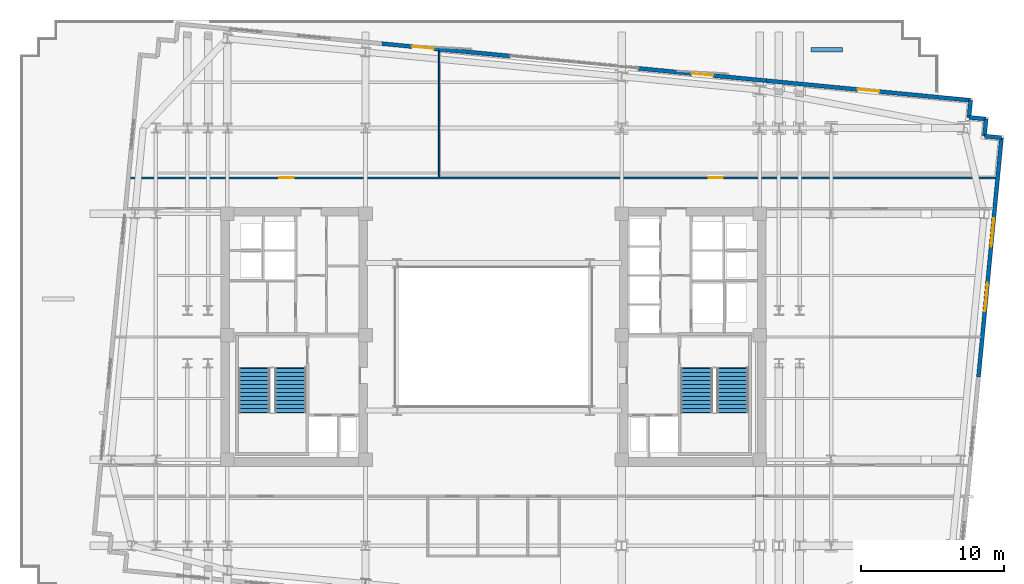
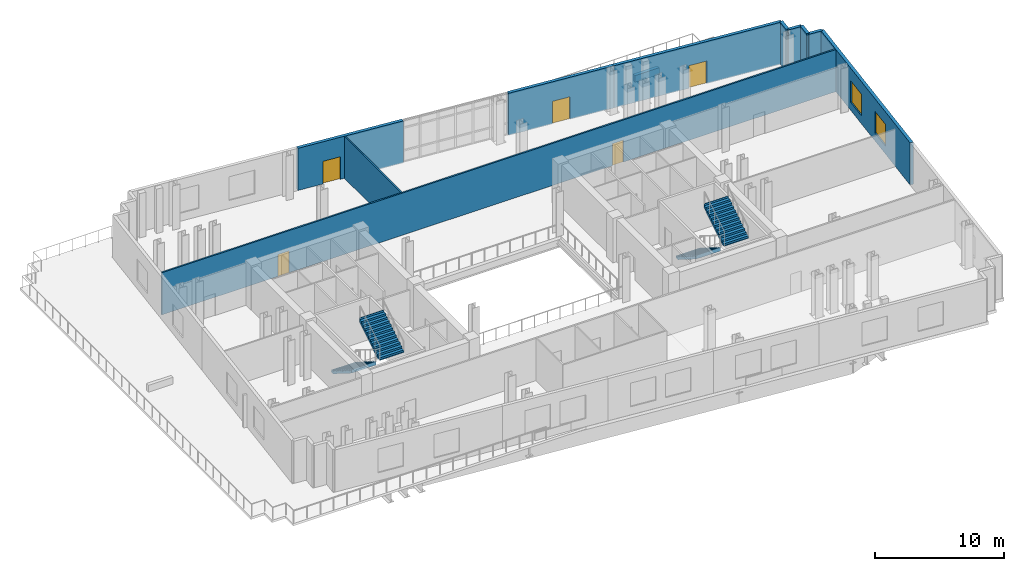
# One storey, part 8 of 11: 11 walls, 5 doors, 4 stair flights, 2 windows, 7 openings, 2 elements without a shape of their own.
"""IFC4 building model written with IfcOpenShell, lengths in metres."""

from ifc_helpers import new_model, si_unit, direction, frame, frame_2d, origin, place, context, subcontext, project, spatial, polyline, rectangle, outline, extrude, material, layer, layer_set, type_object, element, fill, aggregate, save


model = new_model("IFC4")

# Units and contexts
model_context = context("Model", 3, precision=1e-05, world=origin(), true_north=direction((0.0, 1.0)))
body_context = subcontext(model_context, "Body", "Model", "MODEL_VIEW")
ifc_project = project(units=[si_unit("LENGTHUNIT", "METRE"), si_unit("AREAUNIT", "SQUARE_METRE"), si_unit("VOLUMEUNIT", "CUBIC_METRE"), si_unit("PLANEANGLEUNIT", "RADIAN"), si_unit("MASSUNIT", "GRAM", prefix="KILO")], contexts=[model_context])

# Site, building, storey
site_placement = place(None, origin())
site = spatial("IfcSite", under=ifc_project, at=site_placement, CompositionType="ELEMENT")
building_placement = place(site_placement, origin())
building = spatial("IfcBuilding", under=site, at=building_placement, Name="Velakula Bourse", CompositionType="ELEMENT")
storey_placement = place(building_placement, frame((0.0, 0.0, 156.199951171875)))
storey = spatial("IfcBuildingStorey", under=building, at=storey_placement, Name="L42", CompositionType="ELEMENT", Elevation=156.199951171875)

# Wall, opening, door
ifc_material_1 = material(Name="Red kilned clay facing brick masonry", Category="masonry")
ifc_layer_1 = layer(ifc_material_1, 0.280029296875, Name="Red kilned clay facing brick masonry", Category="masonry")
ifc_layer_set_1 = layer_set([ifc_layer_1], Name="Red kilned clay facing brick masonry")
wall_type_1 = type_object("IfcWallType", Name="WL-EXT-BRK-280", PredefinedType="STANDARD", material=ifc_layer_set_1)
wall_1_placement = place(storey_placement, frame((-7.798583984375, 20.49560546875, 0.0), z_axis=(0.0, 0.0, 1.0), x_axis=(0.995396794462, -0.09583956164, 0.0)))
wall_1 = element("IfcWall", 1, at=wall_1_placement, inside=storey, type_object=wall_type_1, Name="L42 N Brick Spandrel Wall B2", PredefinedType="STANDARD", context=body_context, shape_type="SweptSolid", body=[
    extrude(rectangle(XDim=9.0, YDim=0.280029296875, at=frame_2d((4.5, 0.0))), origin(), (0.0, 0.0, 1.0), 4.0),
])
opening_1_placement = place(wall_1_placement, frame((2.1298828125, 0.0, 0.0)))
opening_1 = element("IfcOpeningElement", 2, at=opening_1_placement, cuts=wall_1, Name="Opening D-TR1", PredefinedType="OPENING", context=body_context, shape_type="SweptSolid", body=[
    extrude(rectangle(XDim=1.5, YDim=2.14990234375, at=frame_2d((0.75, 1.074951171875))), frame((0.0, 0.14990234375, 0.0), z_axis=(0.0, -1.0, 0.0), x_axis=(1.0, 0.0, 0.0)), (0.0, 0.0, 1.0), 0.300048828125),
])
ifc_material_2 = material(Name="Anodised bronze architectural aluminium", Category="aluminium")
door_type_1 = type_object("IfcDoorType", Name="DR-EXT-TERR-1500", OperationType="DOUBLE_DOOR_SINGLE_SWING", PredefinedType="DOOR", material=ifc_material_2)
door_1_placement = place(opening_1_placement, origin())
door_1 = element("IfcDoor", 3, at=door_1_placement, inside=storey, type_object=door_type_1, Name="L42 Sky-Garden Terrace Access Door 1", OperationType="DOUBLE_DOOR_SINGLE_SWING", OverallHeight=2.14990234375, OverallWidth=1.5, PredefinedType="DOOR", context=body_context, shape_type="SweptSolid", body=[
    extrude(rectangle(XDim=1.5, YDim=2.14990234375, at=frame_2d((0.75, 1.074951171875))), frame((0.0, 0.02490234375, 0.0), z_axis=(0.0, -1.0, 0.0), x_axis=(1.0, 0.0, 0.0)), (0.0, 0.0, 1.0), 0.050048828125),
])
fill(opening_1, door_1)

wall_2_placement = place(storey_placement, frame((10.11865234375, 18.770263671875, 0.0), z_axis=(0.0, 0.0, 1.0), x_axis=(0.995396794462, -0.09583956164, 0.0)))
wall_2 = element("IfcWall", 4, at=wall_2_placement, inside=storey, type_object=wall_type_1, Name="L42 N Brick Spandrel Wall B4", PredefinedType="STANDARD", context=body_context, shape_type="SweptSolid", body=[
    extrude(rectangle(XDim=9.0, YDim=0.280029296875, at=frame_2d((4.5, 0.0))), origin(), (0.0, 0.0, 1.0), 4.0),
])
opening_2_placement = place(wall_2_placement, frame((3.75, 0.0, 0.0)))
opening_2 = element("IfcOpeningElement", 5, at=opening_2_placement, cuts=wall_2, Name="Opening D-TR1", PredefinedType="OPENING", context=body_context, shape_type="SweptSolid", body=[
    extrude(rectangle(XDim=1.5, YDim=2.14990234375, at=frame_2d((0.75, 1.074951171875))), frame((0.0, 0.14990234375, 0.0), z_axis=(0.0, -1.0, 0.0), x_axis=(1.0, 0.0, 0.0)), (0.0, 0.0, 1.0), 0.300048828125),
])
door_2_placement = place(opening_2_placement, origin())
door_2 = element("IfcDoor", 6, at=door_2_placement, inside=storey, type_object=door_type_1, Name="L42 Sky-Garden Terrace Access Door 2", OperationType="DOUBLE_DOOR_SINGLE_SWING", OverallHeight=2.14990234375, OverallWidth=1.5, PredefinedType="DOOR", context=body_context, shape_type="SweptSolid", body=[
    extrude(rectangle(XDim=1.5, YDim=2.14990234375, at=frame_2d((0.75, 1.074951171875))), frame((0.0, 0.02490234375, 0.0), z_axis=(0.0, -1.0, 0.0), x_axis=(1.0, 0.0, 0.0)), (0.0, 0.0, 1.0), 0.050048828125),
])
fill(opening_2, door_2)

wall_3_placement = place(storey_placement, frame((19.0771484375, 17.90771484375, 0.0), z_axis=(0.0, 0.0, 1.0), x_axis=(0.995395606285, -0.095851901334, 0.0)))
wall_3 = element("IfcWall", 7, at=wall_3_placement, inside=storey, type_object=wall_type_1, Name="L42 N Brick Spandrel Wall B5", PredefinedType="STANDARD", context=body_context, shape_type="SweptSolid", body=[
    extrude(rectangle(XDim=14.33984375, YDim=0.280029296875, at=frame_2d((7.169921875, 0.0))), origin(), (0.0, 0.0, 1.0), 4.0),
])
opening_3_placement = place(wall_3_placement, frame((6.419921875, 0.0, 0.0)))
opening_3 = element("IfcOpeningElement", 8, at=opening_3_placement, cuts=wall_3, Name="Opening D-TR1", PredefinedType="OPENING", context=body_context, shape_type="SweptSolid", body=[
    extrude(rectangle(XDim=1.5, YDim=2.14990234375, at=frame_2d((0.75, 1.074951171875))), frame((0.0, 0.14990234375, 0.0), z_axis=(0.0, -1.0, 0.0), x_axis=(1.0, 0.0, 0.0)), (0.0, 0.0, 1.0), 0.300048828125),
])
door_3_placement = place(opening_3_placement, origin())
door_3 = element("IfcDoor", 9, at=door_3_placement, inside=storey, type_object=door_type_1, Name="L42 Sky-Garden Terrace Access Door 3", OperationType="DOUBLE_DOOR_SINGLE_SWING", OverallHeight=2.14990234375, OverallWidth=1.5, PredefinedType="DOOR", context=body_context, shape_type="SweptSolid", body=[
    extrude(rectangle(XDim=1.5, YDim=2.14990234375, at=frame_2d((0.75, 1.074951171875))), frame((0.0, 0.02490234375, 0.0), z_axis=(0.0, -1.0, 0.0), x_axis=(1.0, 0.0, 0.0)), (0.0, 0.0, 1.0), 0.050048828125),
])
fill(opening_3, door_3)

# Wall, openings, windows
wall_4_placement = place(storey_placement, frame((35.510009765625, 13.914306640625, 0.0), z_axis=(0.0, 0.0, 1.0), x_axis=(-0.095839027265, -0.995396845913, 0.0)))
wall_4 = element("IfcWall", 10, at=wall_4_placement, inside=storey, type_object=wall_type_1, Name="L42 E Brick End Wall W2", PredefinedType="STANDARD", context=body_context, shape_type="SweptSolid", body=[
    extrude(rectangle(XDim=16.7900390625, YDim=0.280029296875, at=frame_2d((8.39501953125, 0.0))), origin(), (0.0, 0.0, 1.0), 4.0),
])
opening_4_placement = place(wall_4_placement, frame((5.646728515625, 0.0, 0.760009765625)))
opening_4 = element("IfcOpeningElement", 11, at=opening_4_placement, cuts=wall_4, Name="Opening W-05", PredefinedType="OPENING", context=body_context, shape_type="SweptSolid", body=[
    extrude(rectangle(XDim=2.0, YDim=2.050048828125, at=frame_2d((1.0, 1.02490234375))), frame((0.0, 0.14990234375, 0.0), z_axis=(0.0, -1.0, 0.0), x_axis=(1.0, 0.0, 0.0)), (0.0, 0.0, 1.0), 0.300048828125),
])
opening_5_placement = place(wall_4_placement, frame((10.193359375, 0.0, 0.760009765625)))
opening_5 = element("IfcOpeningElement", 12, at=opening_5_placement, cuts=wall_4, Name="Opening W-05", PredefinedType="OPENING", context=body_context, shape_type="SweptSolid", body=[
    extrude(rectangle(XDim=2.0, YDim=2.050048828125, at=frame_2d((1.0, 1.02490234375))), frame((0.0, 0.14990234375, 0.0), z_axis=(0.0, -1.0, 0.0), x_axis=(1.0, 0.0, 0.0)), (0.0, 0.0, 1.0), 0.300048828125),
])
ifc_material_3 = material(Name="Double-glazed solar-control Low-E glass", Category="glass")
window_type = type_object("IfcWindowType", Name="WIN-TWR-2000x2200", PartitioningType="DOUBLE_PANEL_VERTICAL", PredefinedType="WINDOW", material=ifc_material_3)
window_1_placement = place(opening_4_placement, origin())
window_1 = element("IfcWindow", 13, at=window_1_placement, inside=storey, type_object=window_type, Name="L42 Deep-Set Recessed Window 1", OverallHeight=2.050048828125, OverallWidth=2.0, PartitioningType="DOUBLE_PANEL_VERTICAL", PredefinedType="WINDOW", context=body_context, shape_type="SweptSolid", body=[
    extrude(rectangle(XDim=2.0, YDim=2.050048828125, at=frame_2d((1.0, 1.02490234375))), frame((0.0, 0.030029296875, 0.0), z_axis=(0.0, -1.0, 0.0), x_axis=(1.0, 0.0, 0.0)), (0.0, 0.0, 1.0), 0.06005859375),
])
fill(opening_4, window_1)
window_2_placement = place(opening_5_placement, origin())
window_2 = element("IfcWindow", 14, at=window_2_placement, inside=storey, type_object=window_type, Name="L42 Deep-Set Recessed Window 2", OverallHeight=2.050048828125, OverallWidth=2.0, PartitioningType="DOUBLE_PANEL_VERTICAL", PredefinedType="WINDOW", context=body_context, shape_type="SweptSolid", body=[
    extrude(rectangle(XDim=2.0, YDim=2.050048828125, at=frame_2d((1.0, 1.02490234375))), frame((0.0, 0.030029296875, 0.0), z_axis=(0.0, -1.0, 0.0), x_axis=(1.0, 0.0, 0.0)), (0.0, 0.0, 1.0), 0.06005859375),
])
fill(opening_5, window_2)

# Walls
wall_5_placement = place(storey_placement, frame((35.510009765625, 13.914306640625, 0.0), z_axis=(0.0, 0.0, 1.0), x_axis=(-0.995397091755, 0.095836473879, 0.0)))
element("IfcWall", 15, at=wall_5_placement, inside=storey, type_object=wall_type_1, Name="L42 Serrated Corner Brick Wall NE-1", PredefinedType="STANDARD", context=body_context, shape_type="SweptSolid", body=[
    extrude(rectangle(XDim=1.199951171875, YDim=0.280029296875, at=frame_2d((0.60009765625, 0.0))), origin(), (0.0, 0.0, 1.0), 4.0),
])
for number, where, z_axis, x_axis, name in (
    (16, (34.315673828125, 14.029296875, 0.0), (0.0, 0.0, 1.0), (0.095817067274, 0.995398960025, 0.0), "L42 Serrated Corner Brick Wall NE-2"),
    (17, (34.4306640625, 15.223876953125, 0.0), (0.0, 0.0, 1.0), (-0.995398960025, 0.095817067274, 0.0), "L42 Serrated Corner Brick Wall NE-3"),
):
    element("IfcWall", number, at=place(storey_placement, frame(where, z_axis=z_axis, x_axis=x_axis)), inside=storey, type_object=wall_type_1, Name=name, PredefinedType="STANDARD", context=body_context, shape_type="SweptSolid", body=[
        extrude(rectangle(XDim=1.2001953125, YDim=0.280029296875, at=frame_2d((0.60009765625, 0.0))), origin(), (0.0, 0.0, 1.0), 4.0),
    ])
wall_6_placement = place(storey_placement, frame((33.236083984375, 15.3388671875, 0.0), z_axis=(0.0, 0.0, 1.0), x_axis=(0.095836473879, 0.995397091755, 0.0)))
element("IfcWall", 18, at=wall_6_placement, inside=storey, type_object=wall_type_1, Name="L42 Serrated Corner Brick Wall NE-4", PredefinedType="STANDARD", context=body_context, shape_type="SweptSolid", body=[
    extrude(rectangle(XDim=1.199951171875, YDim=0.280029296875, at=frame_2d((0.60009765625, 0.0))), origin(), (0.0, 0.0, 1.0), 4.0),
])
ifc_layer_2 = layer(ifc_material_1, 0.300048828125, Name="Red kilned clay facing brick masonry", Category="masonry")
ifc_layer_set_2 = layer_set([ifc_layer_2], Name="Red kilned clay facing brick masonry")
wall_type_2 = type_object("IfcWallType", Name="WL-PAR-PLN-300", PredefinedType="PARAPET", material=ifc_layer_set_2)
wall_7_placement = place(storey_placement, frame((22.188720703125, 20.074951171875, 0.0), z_axis=(0.0, 0.0, 1.0), x_axis=(1.0, 0.0, 0.0)))
element("IfcWall", 19, at=wall_7_placement, inside=storey, type_object=wall_type_2, Name="L42 Sky-Garden Brick Planter 2", PredefinedType="PARAPET", context=body_context, shape_type="SweptSolid", body=[
    extrude(rectangle(XDim=2.199951171875, YDim=0.300048828125, at=frame_2d((1.10009765625, 0.0))), origin(), (0.0, 0.0, 1.0), 0.650146484375),
])
ifc_material_4 = material(Name="Fire-rated double-layer gypsum drywall partition", Category="gypsum")
ifc_layer_3 = layer(ifc_material_4, 0.1201171875, Name="Fire-rated double-layer gypsum drywall partition", Category="gypsum")
ifc_layer_set_3 = layer_set([ifc_layer_3], Name="Fire-rated double-layer gypsum drywall partition")
wall_type_3 = type_object("IfcWallType", Name="WL-PART-120", PredefinedType="STANDARD", material=ifc_layer_set_3)
wall_8_placement = place(storey_placement, frame((-3.802001953125, 11.18994140625, 0.0), z_axis=(0.0, 0.0, 1.0), x_axis=(0.0, 1.0, 0.0)))
element("IfcWall", 20, at=wall_8_placement, inside=storey, type_object=wall_type_3, Name="L42 Interior Partition WL-INT-L42-N-D1", PredefinedType="STANDARD", context=body_context, shape_type="SweptSolid", body=[
    extrude(rectangle(XDim=8.80029296875, YDim=0.1201171875, at=frame_2d((4.400146484375, 0.0))), origin(), (0.0, 0.0, 1.0), 4.0),
])

# Wall, openings, doors
ifc_layer_4 = layer(ifc_material_4, 0.139892578125, Name="Fire-rated double-layer gypsum drywall partition", Category="gypsum")
ifc_layer_set_4 = layer_set([ifc_layer_4], Name="Fire-rated double-layer gypsum drywall partition")
wall_type_4 = type_object("IfcWallType", Name="WL-PART-140", PredefinedType="STANDARD", material=ifc_layer_set_4)
wall_9_placement = place(storey_placement, frame((-25.398193359375, 11.1201171875, 0.0), z_axis=(0.0, 0.0, 1.0), x_axis=(1.0, 0.0, 0.0)))
wall_9 = element("IfcWall", 21, at=wall_9_placement, inside=storey, type_object=wall_type_4, Name="L42 Interior Partition WL-INT-L42-N-CORR", PredefinedType="STANDARD", context=body_context, shape_type="SweptSolid", body=[
    extrude(rectangle(XDim=60.5185546875, YDim=0.139892578125, at=frame_2d((30.25927734375, 0.0))), origin(), (0.0, 0.0, 1.0), 4.0),
])
opening_6_placement = place(wall_9_placement, frame((10.424072265625, 0.0, 0.0)))
opening_6 = element("IfcOpeningElement", 22, at=opening_6_placement, cuts=wall_9, Name="Opening D-OF1", PredefinedType="OPENING", context=body_context, shape_type="SweptSolid", body=[
    extrude(rectangle(XDim=1.0, YDim=2.080078125, at=frame_2d((0.5, 1.0400390625))), frame((0.0, 0.079833984375, 0.0), z_axis=(0.0, -1.0, 0.0), x_axis=(1.0, 0.0, 0.0)), (0.0, 0.0, 1.0), 0.159912109375),
])
opening_7_placement = place(wall_9_placement, frame((40.431396484375, 0.0, 0.0)))
opening_7 = element("IfcOpeningElement", 23, at=opening_7_placement, cuts=wall_9, Name="Opening D-OF1", PredefinedType="OPENING", context=body_context, shape_type="SweptSolid", body=[
    extrude(rectangle(XDim=1.0, YDim=2.080078125, at=frame_2d((0.5, 1.0400390625))), frame((0.0, 0.079833984375, 0.0), z_axis=(0.0, -1.0, 0.0), x_axis=(1.0, 0.0, 0.0)), (0.0, 0.0, 1.0), 0.159912109375),
])
ifc_material_5 = material(Name="Fire-rated hardwood flush architectural door", Category="wood")
door_type_2 = type_object("IfcDoorType", Name="DR-OFF-1000", OperationType="NOTDEFINED", PredefinedType="DOOR", material=ifc_material_5)
door_4_placement = place(opening_6_placement, origin())
door_4 = element("IfcDoor", 24, at=door_4_placement, inside=storey, type_object=door_type_2, Name="L42 Delegation Concourse Foyer Door", OperationType="SINGLE_SWING_LEFT", OverallHeight=2.080078125, OverallWidth=1.0, PredefinedType="DOOR", context=body_context, shape_type="SweptSolid", body=[
    extrude(rectangle(XDim=1.0, YDim=2.080078125, at=frame_2d((0.5, 1.0400390625))), frame((0.0, 0.02490234375, 0.0), z_axis=(0.0, -1.0, 0.0), x_axis=(1.0, 0.0, 0.0)), (0.0, 0.0, 1.0), 0.050048828125),
])
fill(opening_6, door_4)
door_5_placement = place(opening_7_placement, origin())
door_5 = element("IfcDoor", 25, at=door_5_placement, inside=storey, type_object=door_type_2, Name="L42 Executive Boardroom Door", OperationType="SINGLE_SWING_RIGHT", OverallHeight=2.080078125, OverallWidth=1.0, PredefinedType="DOOR", context=body_context, shape_type="SweptSolid", body=[
    extrude(rectangle(XDim=1.0, YDim=2.080078125, at=frame_2d((0.5, 1.0400390625))), frame((0.0, 0.02490234375, 0.0), z_axis=(0.0, -1.0, 0.0), x_axis=(1.0, 0.0, 0.0)), (0.0, 0.0, 1.0), 0.050048828125),
])
fill(opening_7, door_5)

# Stair, stair flights
ifc_material_6 = material(Name="Concrete M45 (fck 45 MPa)", Category="concrete")
stair_type = type_object("IfcStairType", Name="STR-DOG-435", PredefinedType="HALF_TURN_STAIR", material=ifc_material_6)
stair_1_placement = place(storey_placement, origin())
stair_1 = element("IfcStair", 26, at=stair_1_placement, inside=storey, type_object=stair_type, Name="L42 West Core Exit Stair ST-W1", PredefinedType="HALF_TURN_STAIR")
ifc_layer_5 = layer(ifc_material_6, 0.199951171875, Name="Concrete M45 (fck 45 MPa)", Category="concrete")
ifc_layer_set_5 = layer_set([ifc_layer_5], Name="Concrete M45 (fck 45 MPa)")
stair_flight_type = type_object("IfcStairFlightType", Name="FLT-DOG-435", PredefinedType="STRAIGHT", material=ifc_layer_set_5)
stair_flight_1_placement = place(storey_placement, frame((-16.720947265625, -2.199951171875, 0.0), z_axis=(0.0, 0.0, 1.0), x_axis=(0.0, -1.0, 0.0)))
stair_flight_1 = element("IfcStairFlight", 27, at=stair_flight_1_placement, type_object=stair_flight_type, Name="ST-W1 flight 1", NumberOfRisers=12, NumberOfTreads=11, PredefinedType="STRAIGHT", RiserHeight=0.175, TreadLength=0.28, context=body_context, shape_type="SweptSolid", body=[
    extrude(outline(polyline([(-0.044921875, -0.0400390625), (-0.044921875, -0.036865234375), (-0.044921875, -0.033935546875), (-0.044921875, -0.03076171875), (-0.044921875, -0.027587890625), (-0.044921875, -0.024658203125), (-0.044921875, -0.021484375), (-0.044921875, -0.0185546875), (-0.044921875, -0.015380859375), (-0.044921875, -0.01220703125), (-0.044921875, -0.00927734375), (-0.044921875, -0.006103515625), (-0.044921875, -0.003173828125), (-0.044921875, 0.0), (0.0, 0.0), (0.0, 0.175048828125), (0.280029296875, 0.175048828125), (0.280029296875, 0.35009765625), (0.56005859375, 0.35009765625), (0.56005859375, 0.52490234375), (0.840087890625, 0.52490234375), (0.840087890625, 0.699951171875), (1.1201171875, 0.699951171875), (1.1201171875, 0.875), (1.39990234375, 0.875), (1.39990234375, 1.050048828125), (1.679931640625, 1.050048828125), (1.679931640625, 1.22509765625), (1.9599609375, 1.22509765625), (1.9599609375, 1.39990234375), (2.239990234375, 1.39990234375), (2.239990234375, 1.574951171875), (2.52001953125, 1.574951171875), (2.52001953125, 1.75), (2.800048828125, 1.75), (2.800048828125, 1.925048828125), (3.080078125, 1.925048828125), (3.080078125, 2.10009765625), (3.125, 2.10009765625), (3.125, 2.074951171875), (3.125, 2.0498046875), (3.125, 2.024658203125), (3.125, 1.99951171875), (3.125, 1.974365234375), (3.125, 1.94921875), (3.125, 1.924072265625), (3.125, 1.89892578125), (3.125, 1.873779296875), (3.125, 1.8486328125), (3.125, 1.823486328125), (3.125, 1.798583984375), (3.125, 1.7734375), (3.125, 1.748291015625), (0.28271484375, -0.0400390625), (-0.044921875, -0.0400390625)])), frame((0.0, 1.09912109375, 0.0), z_axis=(0.0, -1.0, 0.0), x_axis=(1.0, 0.0, 0.0)), (0.0, 0.0, 1.0), 2.197998046875),
])
stair_flight_2_placement = place(storey_placement, frame((-14.198974609375, -5.280029296875, 2.10009765625), z_axis=(0.0, 0.0, 1.0), x_axis=(0.0, 1.0, 0.0)))
stair_flight_2 = element("IfcStairFlight", 28, at=stair_flight_2_placement, type_object=stair_flight_type, Name="ST-W1 flight 2", NumberOfRisers=12, NumberOfTreads=11, PredefinedType="STRAIGHT", RiserHeight=0.175, TreadLength=0.28, context=body_context, shape_type="SweptSolid", body=[
    extrude(outline(polyline([(-0.044921875, -0.0400390625), (-0.044921875, -0.036865234375), (-0.044921875, -0.033935546875), (-0.044921875, -0.03076171875), (-0.044921875, -0.027587890625), (-0.044921875, -0.024658203125), (-0.044921875, -0.021484375), (-0.044921875, -0.0185546875), (-0.044921875, -0.015380859375), (-0.044921875, -0.01220703125), (-0.044921875, -0.00927734375), (-0.044921875, -0.006103515625), (-0.044921875, -0.003173828125), (-0.044921875, 0.0), (0.0, 0.0), (0.0, 0.175048828125), (0.280029296875, 0.175048828125), (0.280029296875, 0.35009765625), (0.56005859375, 0.35009765625), (0.56005859375, 0.52490234375), (0.840087890625, 0.52490234375), (0.840087890625, 0.699951171875), (1.1201171875, 0.699951171875), (1.1201171875, 0.875), (1.39990234375, 0.875), (1.39990234375, 1.050048828125), (1.679931640625, 1.050048828125), (1.679931640625, 1.22509765625), (1.9599609375, 1.22509765625), (1.9599609375, 1.39990234375), (2.239990234375, 1.39990234375), (2.239990234375, 1.574951171875), (2.52001953125, 1.574951171875), (2.52001953125, 1.75), (2.800048828125, 1.75), (2.800048828125, 1.925048828125), (3.080078125, 1.925048828125), (3.080078125, 2.10009765625), (3.125, 2.10009765625), (3.125, 2.074951171875), (3.125, 2.0498046875), (3.125, 2.024658203125), (3.125, 1.99951171875), (3.125, 1.974365234375), (3.125, 1.94921875), (3.125, 1.924072265625), (3.125, 1.89892578125), (3.125, 1.873779296875), (3.125, 1.8486328125), (3.125, 1.823486328125), (3.125, 1.798583984375), (3.125, 1.7734375), (3.125, 1.748291015625), (0.28271484375, -0.0400390625), (-0.044921875, -0.0400390625)])), frame((0.0, 1.09912109375, 0.0), z_axis=(0.0, -1.0, 0.0), x_axis=(1.0, 0.0, 0.0)), (0.0, 0.0, 1.0), 2.197998046875),
])
aggregate(stair_1, [stair_flight_1, stair_flight_2])

stair_2_placement = place(storey_placement, origin())
stair_2 = element("IfcStair", 29, at=stair_2_placement, inside=storey, type_object=stair_type, Name="L42 East Core Exit Stair ST-E1", PredefinedType="HALF_TURN_STAIR")
stair_flight_3_placement = place(storey_placement, frame((14.198974609375, -2.199951171875, 0.0), z_axis=(0.0, 0.0, 1.0), x_axis=(0.0, -1.0, 0.0)))
stair_flight_3 = element("IfcStairFlight", 30, at=stair_flight_3_placement, type_object=stair_flight_type, Name="ST-E1 flight 1", NumberOfRisers=12, NumberOfTreads=11, PredefinedType="STRAIGHT", RiserHeight=0.175, TreadLength=0.28, context=body_context, shape_type="SweptSolid", body=[
    extrude(outline(polyline([(-0.044921875, -0.0400390625), (-0.044921875, -0.036865234375), (-0.044921875, -0.033935546875), (-0.044921875, -0.03076171875), (-0.044921875, -0.027587890625), (-0.044921875, -0.024658203125), (-0.044921875, -0.021484375), (-0.044921875, -0.0185546875), (-0.044921875, -0.015380859375), (-0.044921875, -0.01220703125), (-0.044921875, -0.00927734375), (-0.044921875, -0.006103515625), (-0.044921875, -0.003173828125), (-0.044921875, 0.0), (0.0, 0.0), (0.0, 0.175048828125), (0.280029296875, 0.175048828125), (0.280029296875, 0.35009765625), (0.56005859375, 0.35009765625), (0.56005859375, 0.52490234375), (0.840087890625, 0.52490234375), (0.840087890625, 0.699951171875), (1.1201171875, 0.699951171875), (1.1201171875, 0.875), (1.39990234375, 0.875), (1.39990234375, 1.050048828125), (1.679931640625, 1.050048828125), (1.679931640625, 1.22509765625), (1.9599609375, 1.22509765625), (1.9599609375, 1.39990234375), (2.239990234375, 1.39990234375), (2.239990234375, 1.574951171875), (2.52001953125, 1.574951171875), (2.52001953125, 1.75), (2.800048828125, 1.75), (2.800048828125, 1.925048828125), (3.080078125, 1.925048828125), (3.080078125, 2.10009765625), (3.125, 2.10009765625), (3.125, 2.074951171875), (3.125, 2.0498046875), (3.125, 2.024658203125), (3.125, 1.99951171875), (3.125, 1.974365234375), (3.125, 1.94921875), (3.125, 1.924072265625), (3.125, 1.89892578125), (3.125, 1.873779296875), (3.125, 1.8486328125), (3.125, 1.823486328125), (3.125, 1.798583984375), (3.125, 1.7734375), (3.125, 1.748291015625), (0.28271484375, -0.0400390625), (-0.044921875, -0.0400390625)])), frame((0.0, 1.09912109375, 0.0), z_axis=(0.0, -1.0, 0.0), x_axis=(1.0, 0.0, 0.0)), (0.0, 0.0, 1.0), 2.197998046875),
])
stair_flight_4_placement = place(storey_placement, frame((16.720947265625, -5.280029296875, 2.10009765625), z_axis=(0.0, 0.0, 1.0), x_axis=(0.0, 1.0, 0.0)))
stair_flight_4 = element("IfcStairFlight", 31, at=stair_flight_4_placement, type_object=stair_flight_type, Name="ST-E1 flight 2", NumberOfRisers=12, NumberOfTreads=11, PredefinedType="STRAIGHT", RiserHeight=0.175, TreadLength=0.28, context=body_context, shape_type="SweptSolid", body=[
    extrude(outline(polyline([(-0.044921875, -0.0400390625), (-0.044921875, -0.036865234375), (-0.044921875, -0.033935546875), (-0.044921875, -0.03076171875), (-0.044921875, -0.027587890625), (-0.044921875, -0.024658203125), (-0.044921875, -0.021484375), (-0.044921875, -0.0185546875), (-0.044921875, -0.015380859375), (-0.044921875, -0.01220703125), (-0.044921875, -0.00927734375), (-0.044921875, -0.006103515625), (-0.044921875, -0.003173828125), (-0.044921875, 0.0), (0.0, 0.0), (0.0, 0.175048828125), (0.280029296875, 0.175048828125), (0.280029296875, 0.35009765625), (0.56005859375, 0.35009765625), (0.56005859375, 0.52490234375), (0.840087890625, 0.52490234375), (0.840087890625, 0.699951171875), (1.1201171875, 0.699951171875), (1.1201171875, 0.875), (1.39990234375, 0.875), (1.39990234375, 1.050048828125), (1.679931640625, 1.050048828125), (1.679931640625, 1.22509765625), (1.9599609375, 1.22509765625), (1.9599609375, 1.39990234375), (2.239990234375, 1.39990234375), (2.239990234375, 1.574951171875), (2.52001953125, 1.574951171875), (2.52001953125, 1.75), (2.800048828125, 1.75), (2.800048828125, 1.925048828125), (3.080078125, 1.925048828125), (3.080078125, 2.10009765625), (3.125, 2.10009765625), (3.125, 2.074951171875), (3.125, 2.0498046875), (3.125, 2.024658203125), (3.125, 1.99951171875), (3.125, 1.974365234375), (3.125, 1.94921875), (3.125, 1.924072265625), (3.125, 1.89892578125), (3.125, 1.873779296875), (3.125, 1.8486328125), (3.125, 1.823486328125), (3.125, 1.798583984375), (3.125, 1.7734375), (3.125, 1.748291015625), (0.28271484375, -0.0400390625), (-0.044921875, -0.0400390625)])), frame((0.0, 1.09912109375, 0.0), z_axis=(0.0, -1.0, 0.0), x_axis=(1.0, 0.0, 0.0)), (0.0, 0.0, 1.0), 2.197998046875),
])
aggregate(stair_2, [stair_flight_3, stair_flight_4])

save(model, "model.ifc")
